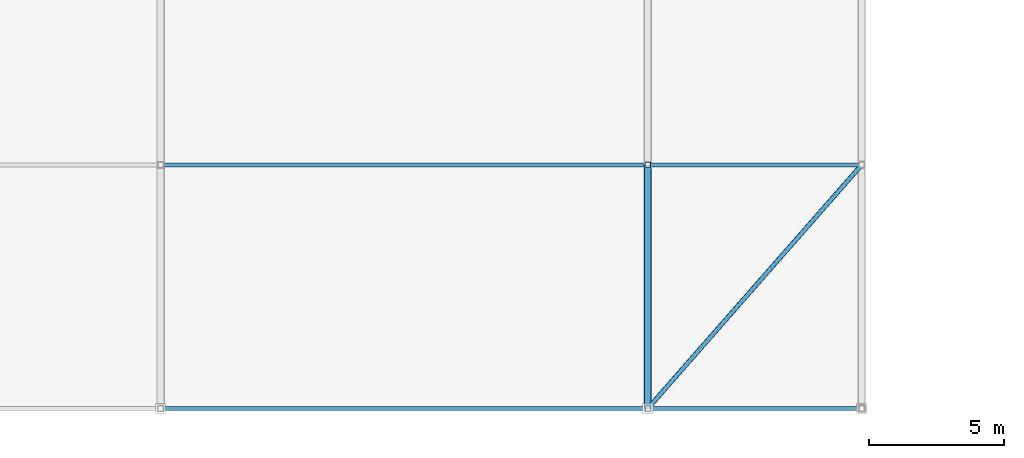
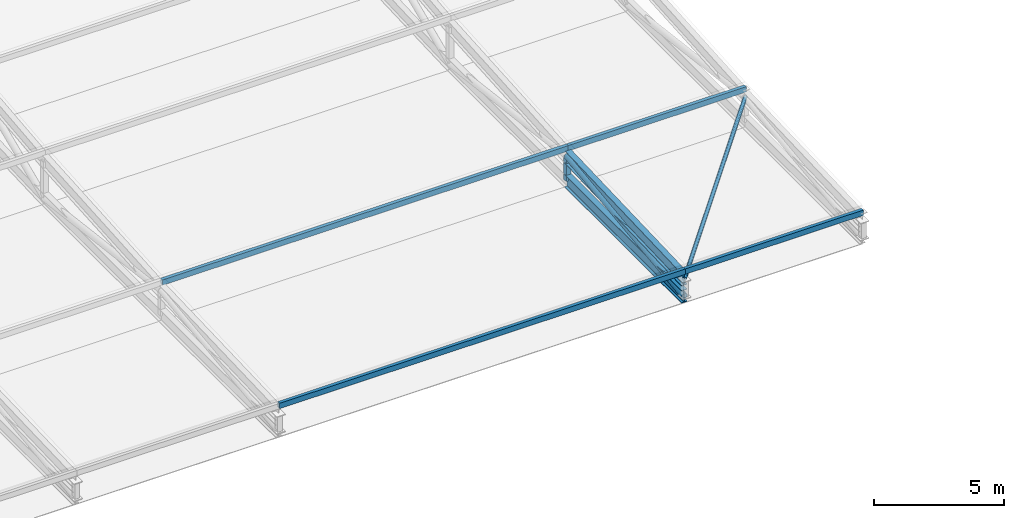
# One storey, part 40 of 114: 7 members, 2 beams.
"""IFC4 building model written with IfcOpenShell, lengths in metres."""

from ifc_helpers import new_model, si_unit, direction, frame, origin, origin_2d, place, context, subcontext, project, spatial, hollow_rectangle, hollow_circle, i_section, extrude, material, material_profile, profile_set, type_object, element, save


model = new_model("IFC4")

# Units and contexts
model_context = context("Model", 3, precision=1e-05, world=origin(), true_north=direction((0.0, 1.0)))
body_context = subcontext(model_context, "Body", "Model", "MODEL_VIEW")
ifc_project = project(units=[si_unit("LENGTHUNIT", "METRE"), si_unit("AREAUNIT", "SQUARE_METRE"), si_unit("VOLUMEUNIT", "CUBIC_METRE"), si_unit("PLANEANGLEUNIT", "RADIAN"), si_unit("MASSUNIT", "GRAM", prefix="KILO"), si_unit("THERMODYNAMICTEMPERATUREUNIT", "KELVIN"), si_unit("POWERUNIT", "WATT")], contexts=[model_context])

# Site, building, storey
site_placement = place(None, origin())
site = spatial("IfcSite", under=ifc_project, at=site_placement, CompositionType="ELEMENT")
building_placement = place(site_placement, origin())
building = spatial("IfcBuilding", under=site, at=building_placement, Name="Sindhuravela Promenade Stadium", CompositionType="ELEMENT")
storey_placement = place(building_placement, frame((0.0, 0.0, 24.0)))
storey = spatial("IfcBuildingStorey", under=building, at=storey_placement, Name="L05", CompositionType="ELEMENT", Elevation=24.0)

# Beams
ifc_material = material(Name="Steel E350 (IS 2062 E350BR)", Category="steel")
ifc_material_profile_1 = material_profile(ifc_material, i_section(OverallWidth=0.25, OverallDepth=0.60009765625, WebThickness=0.01171875, FlangeThickness=0.023681640625, FilletRadius=0.01708984375, at=origin_2d()), Name="ISWB 600")
ifc_profile_set_1 = profile_set([ifc_material_profile_1], Name="Steel E350 (IS 2062 E350BR)")
beam_type = type_object("IfcBeamType", Name="ST-BM-WB600", PredefinedType="USERDEFINED", material=ifc_profile_set_1)
beam_1_placement = place(storey_placement, frame((153.0, 9.0, 0.800048828125), z_axis=(0.0, 0.9993399990381225, 0.03632583546850814), x_axis=(-1.0, 0.0, 0.0)))
element("IfcBeam", 1, at=beam_1_placement, inside=storey, type_object=beam_type, Name="Roof truss RT-S08 top chord 1", ObjectType="ROOF TRUSS", PredefinedType="USERDEFINED", context=body_context, shape_type="SweptSolid", body=[
    extrude(i_section(OverallWidth=0.25, OverallDepth=0.60009765625, WebThickness=0.01171875, FlangeThickness=0.023681640625, FilletRadius=0.01708984375, at=origin_2d()), origin(), (0.0, 0.0, 1.0), 9.005859375),
])
beam_2_placement = place(storey_placement, frame((153.0, 9.0, 0.0), z_axis=(0.0, 1.0, 0.0), x_axis=(-1.0, 0.0, 0.0)))
element("IfcBeam", 2, at=beam_2_placement, inside=storey, type_object=beam_type, Name="Roof truss RT-S08 bottom chord 1", ObjectType="ROOF TRUSS", PredefinedType="USERDEFINED", context=body_context, shape_type="SweptSolid", body=[
    extrude(i_section(OverallWidth=0.25, OverallDepth=0.60009765625, WebThickness=0.01171875, FlangeThickness=0.023681640625, FilletRadius=0.01708984375, at=origin_2d()), origin(), (0.0, 0.0, 1.0), 9.0),
])

# Members
ifc_material_profile_2 = material_profile(ifc_material, hollow_circle(Radius=0.084228515625, WallThickness=0.008056640625, at=origin_2d()), Name="CHS 168.3x8")
ifc_profile_set_2 = profile_set([ifc_material_profile_2], Name="Steel E350 (IS 2062 E350BR)")
member_type_1 = type_object("IfcMemberType", Name="ST-MB-CHS168", PredefinedType="BRACE", material=ifc_profile_set_2)
member_1_placement = place(storey_placement, frame((153.0, 9.0, 0.800048828125), z_axis=(0.6594355315884876, 0.7512649556980656, 0.027308350711680987), x_axis=(-0.7515452388976814, 0.6596815549113274, 0.0)))
element("IfcMember", 3, at=member_1_placement, inside=storey, type_object=member_type_1, Name="Roof wind brace MB03 S bay 8", PredefinedType="BRACE", context=body_context, shape_type="SweptSolid", body=[
    extrude(hollow_circle(Radius=0.084228515625, WallThickness=0.008056640625, at=origin_2d()), origin(), (0.0, 0.0, 1.0), 11.979736328125),
])
ifc_material_profile_3 = material_profile(ifc_material, hollow_circle(Radius=0.136474609375, WallThickness=0.010009765625, at=origin_2d()), Name="CHS 273.0x10")
ifc_profile_set_3 = profile_set([ifc_material_profile_3], Name="Steel E350 (IS 2062 E350BR)")
member_type_2 = type_object("IfcMemberType", Name="ST-MB-CHS273", PredefinedType="BRACE", material=ifc_profile_set_3)
member_2_placement = place(storey_placement, frame((153.0, 9.0, 0.0), z_axis=(0.0, 0.9922480329009012, 0.12427325216752011), x_axis=(-1.0, 0.0, 0.0)))
element("IfcMember", 4, at=member_2_placement, inside=storey, type_object=member_type_2, Name="Roof truss RT-S08 diagonal web 1", PredefinedType="BRACE", context=body_context, shape_type="SweptSolid", body=[
    extrude(hollow_circle(Radius=0.136474609375, WallThickness=0.010009765625, at=origin_2d()), origin(), (0.0, 0.0, 1.0), 9.0703125),
])
ifc_material_profile_4 = material_profile(ifc_material, hollow_rectangle(XDim=0.14990234375, YDim=0.25, WallThickness=0.010009765625, at=origin_2d()), Name="RHS 250x150x10")
ifc_profile_set_4 = profile_set([ifc_material_profile_4], Name="Steel E350 (IS 2062 E350BR)")
member_type_3 = type_object("IfcMemberType", Name="ST-MB-RHS250", PredefinedType="PURLIN", material=ifc_profile_set_4)
for number, where, z_axis, x_axis, name in (
    (5, (135.0, 9.0, 1.19189453125), (1.0, 0.0, 0.0), (0.0, 1.0, 0.0), "Roof purlin PR01 S bay 7.1"),
    (6, (135.0, 18.0, 1.51904296875), (1.0, 0.0, 0.0), (0.0, 1.0, 0.0), "Roof purlin PR01 S bay 7.2"),
):
    element("IfcMember", number, at=place(storey_placement, frame(where, z_axis=z_axis, x_axis=x_axis)), inside=storey, type_object=member_type_3, Name=name, PredefinedType="PURLIN", context=body_context, shape_type="SweptSolid", body=[
        extrude(hollow_rectangle(XDim=0.14990234375, YDim=0.25, WallThickness=0.010009765625, at=origin_2d()), origin(), (0.0, 0.0, 1.0), 18.0),
    ])
for number, where, z_axis, x_axis, name in (
    (7, (153.0, 9.0, 1.19189453125), (1.0, 0.0, 0.0), (0.0, 1.0, 0.0), "Roof purlin PR01 S bay 8.1"),
    (8, (153.0, 18.0, 1.51904296875), (1.0, 0.0, 0.0), (0.0, 1.0, 0.0), "Roof purlin PR01 S bay 8.2"),
):
    element("IfcMember", number, at=place(storey_placement, frame(where, z_axis=z_axis, x_axis=x_axis)), inside=storey, type_object=member_type_3, Name=name, PredefinedType="PURLIN", context=body_context, shape_type="SweptSolid", body=[
        extrude(hollow_rectangle(XDim=0.14990234375, YDim=0.25, WallThickness=0.010009765625, at=origin_2d()), origin(), (0.0, 0.0, 1.0), 7.89990234375),
    ])
ifc_material_profile_5 = material_profile(ifc_material, hollow_rectangle(XDim=0.199951171875, YDim=0.199951171875, WallThickness=0.010009765625, at=origin_2d()), Name="SHS 200x200x10")
ifc_profile_set_5 = profile_set([ifc_material_profile_5], Name="Steel E350 (IS 2062 E350BR)")
member_type_4 = type_object("IfcMemberType", Name="ST-MB-SHS200", PredefinedType="POST", material=ifc_profile_set_5)
member_3_placement = place(storey_placement, frame((153.0, 18.0, 0.0), z_axis=(0.0, 0.0, 1.0), x_axis=(1.0, 0.0, 0.0)))
element("IfcMember", 9, at=member_3_placement, inside=storey, type_object=member_type_4, Name="Roof truss RT-S08 vertical post 2", PredefinedType="POST", context=body_context, shape_type="SweptSolid", body=[
    extrude(hollow_rectangle(XDim=0.199951171875, YDim=0.199951171875, WallThickness=0.010009765625, at=origin_2d()), origin(), (0.0, 0.0, 1.0), 1.127197265625),
])

save(model, "model.ifc")
